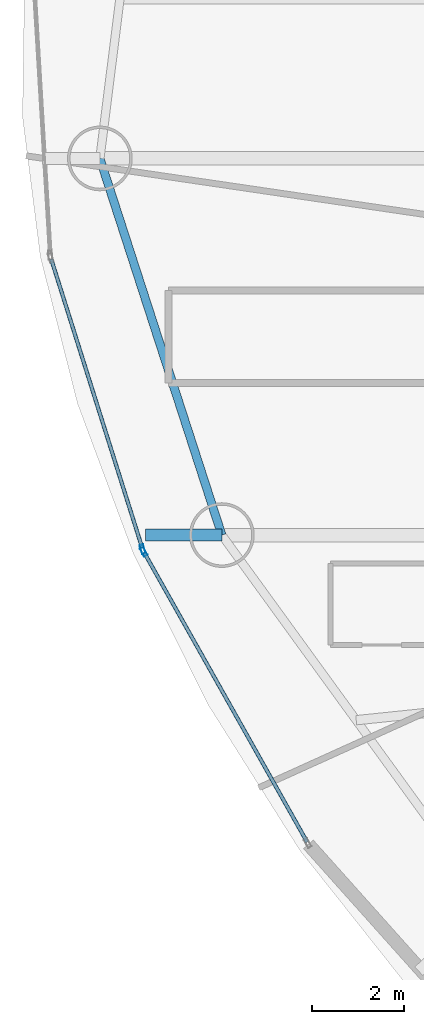
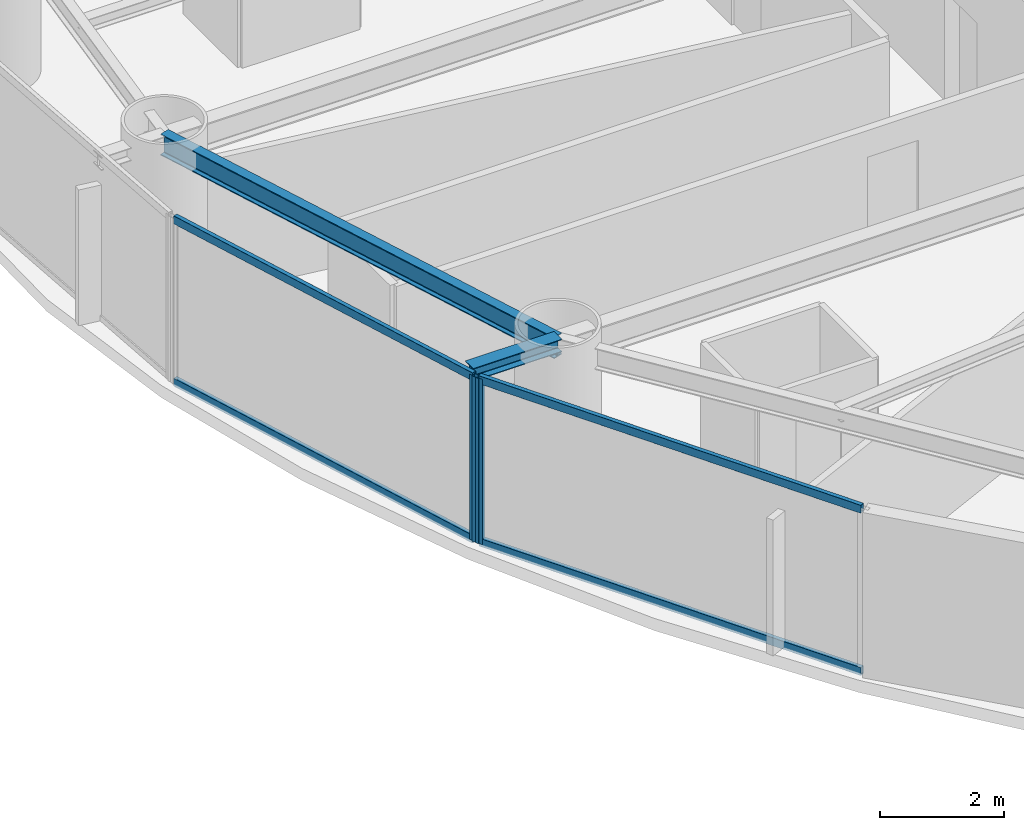
# One storey, part 4 of 22: 6 members, 2 beams, 2 elements without a shape of their own.
"""IFC4 building model written with IfcOpenShell, lengths in metres."""

from ifc_helpers import new_model, si_unit, direction, frame, origin, origin_2d, place, context, subcontext, project, spatial, hollow_rectangle, i_section, extrude, material, layer, layer_set, material_profile, profile_set, type_object, element, aggregate, save


model = new_model("IFC4")

# Units and contexts
model_context = context("Model", 3, precision=1e-05, world=origin(), true_north=direction((0.0, 1.0)))
body_context = subcontext(model_context, "Body", "Model", "MODEL_VIEW")
ifc_project = project(units=[si_unit("LENGTHUNIT", "METRE"), si_unit("AREAUNIT", "SQUARE_METRE"), si_unit("VOLUMEUNIT", "CUBIC_METRE"), si_unit("PLANEANGLEUNIT", "RADIAN"), si_unit("MASSUNIT", "GRAM", prefix="KILO")], contexts=[model_context])

# Site, building, storey
site_placement = place(None, origin())
site = spatial("IfcSite", under=ifc_project, at=site_placement, CompositionType="ELEMENT")
building_placement = place(site_placement, origin())
building = spatial("IfcBuilding", under=site, at=building_placement, Name="Bramvorn Convention Spire", CompositionType="ELEMENT")
storey_placement = place(building_placement, frame((0.0, 0.0, 137.800048828125)))
storey = spatial("IfcBuildingStorey", under=building, at=storey_placement, Name="L34", CompositionType="ELEMENT", Elevation=137.800048828125)

# Beams
ifc_material_1 = material(Name="Steel CSA G40.21 Grade 350 (350W)", Category="steel")
ifc_material_profile_1 = material_profile(ifc_material_1, i_section(OverallWidth=0.25390625, OverallDepth=0.2529296875, WebThickness=0.008544921875, FlangeThickness=0.01416015625, FilletRadius=0.011962890625, at=origin_2d()))
ifc_profile_set_1 = profile_set([ifc_material_profile_1], Name="Steel CSA G40.21 Grade 350 (350W) - W250X73")
beam_type_1 = type_object("IfcBeamType", Name="BM-W250X73", PredefinedType="BEAM", material=ifc_profile_set_1)
beam_1_placement = place(storey_placement, frame((15.654296875, 21.706787109375, 3.133544921875), z_axis=(-1.0, 0.0, 0.0), x_axis=(0.0, -1.0, 0.0)))
element("IfcBeam", 1, at=beam_1_placement, inside=storey, type_object=beam_type_1, Name="L34 slab-edge cantilever tip beam MC11", PredefinedType="BEAM", context=body_context, shape_type="SweptSolid", body=[
    extrude(i_section(OverallWidth=0.25390625, OverallDepth=0.2529296875, WebThickness=0.008544921875, FlangeThickness=0.01416015625, FilletRadius=0.011962890625, at=origin_2d()), origin(), (0.0, 0.0, 1.0), 1.654296875),
])
ifc_material_profile_2 = material_profile(ifc_material_1, i_section(OverallWidth=0.180908203125, OverallDepth=0.4169921875, WebThickness=0.010986328125, FlangeThickness=0.018310546875, FilletRadius=0.01611328125, at=origin_2d()))
ifc_profile_set_2 = profile_set([ifc_material_profile_2], Name="Steel CSA G40.21 Grade 350 (350W) - W410X85")
beam_type_2 = type_object("IfcBeamType", Name="BM-W410X85", PredefinedType="JOIST", material=ifc_profile_set_2)
beam_2_placement = place(storey_placement, frame((13.016357421875, 29.851806640625, 3.051513671875), z_axis=(0.308114853612, -0.951349166701, 0.0), x_axis=(0.951349166701, 0.308114853612, 0.0)))
element("IfcBeam", 2, at=beam_2_placement, inside=storey, type_object=beam_type_2, Name="L34 mega-column ring beam 10", PredefinedType="JOIST", context=body_context, shape_type="SweptSolid", body=[
    extrude(i_section(OverallWidth=0.180908203125, OverallDepth=0.4169921875, WebThickness=0.010986328125, FlangeThickness=0.018310546875, FilletRadius=0.01611328125, at=origin_2d()), origin(), (0.0, 0.0, 1.0), 8.5615234375),
])

# Curtain wall, member
ifc_material_2 = material(Name="Anodised Bronze Unitised Curtain Wall", Category="aluminium")
ifc_layer = layer(ifc_material_2, 0.179931640625)
ifc_layer_set = layer_set([ifc_layer], Name="Anodised Bronze Unitised Curtain Wall - CW-HTL-FRIT")
curtain_wall_type = type_object("IfcCurtainWallType", Name="CW-HTL-FRIT", PredefinedType="USERDEFINED", material=ifc_layer_set)
curtain_wall_1_placement = place(storey_placement, origin())
curtain_wall_1 = element("IfcCurtainWall", 3, at=curtain_wall_1_placement, inside=storey, type_object=curtain_wall_type, Name="L34 fritted glass curtain wall 15", ObjectType="UNITISED CURTAIN WALL", PredefinedType="USERDEFINED")
ifc_material_3 = material(Name="Anodised Bronze Aluminium 6063-T6", Category="aluminium")
ifc_material_profile_3 = material_profile(ifc_material_3, hollow_rectangle(XDim=0.080078125, YDim=0.199951171875, WallThickness=0.00390625, InnerFilletRadius=0.0009765625, OuterFilletRadius=0.00390625, at=origin_2d()))
ifc_profile_set_3 = profile_set([ifc_material_profile_3], Name="Anodised Bronze Aluminium 6063-T6 - CWM80X200")
member_type_1 = type_object("IfcMemberType", Name="CW-MUL-180", PredefinedType="MULLION", material=ifc_profile_set_3)
member_1_placement = place(storey_placement, frame((13.9404296875, 21.402099609375, 0.0), z_axis=(0.0, 0.0, 1.0), x_axis=(-0.953779510909, -0.300507312007, 0.0)))
member_1 = element("IfcMember", 4, at=member_1_placement, type_object=member_type_1, Name="CW2 mullion 1", PredefinedType="MULLION", context=body_context, shape_type="SweptSolid", body=[
    extrude(hollow_rectangle(XDim=0.080078125, YDim=0.199951171875, WallThickness=0.00390625, InnerFilletRadius=0.0009765625, OuterFilletRadius=0.00390625, at=origin_2d()), origin(), (0.0, 0.0, 1.0), 3.260009765625),
])

curtain_wall_2_placement = place(storey_placement, origin())
curtain_wall_2 = element("IfcCurtainWall", 5, at=curtain_wall_2_placement, inside=storey, type_object=curtain_wall_type, Name="L34 fritted glass curtain wall 16", ObjectType="UNITISED CURTAIN WALL", PredefinedType="USERDEFINED")
member_2_placement = place(storey_placement, frame((13.964111328125, 21.34716796875, 0.0), z_axis=(0.0, 0.0, 1.0), x_axis=(-0.871437793754, -0.49050603627, 0.0)))
member_2 = element("IfcMember", 6, at=member_2_placement, type_object=member_type_1, Name="CW2 mullion 2", PredefinedType="MULLION", context=body_context, shape_type="SweptSolid", body=[
    extrude(hollow_rectangle(XDim=0.080078125, YDim=0.199951171875, WallThickness=0.00390625, InnerFilletRadius=0.0009765625, OuterFilletRadius=0.00390625, at=origin_2d()), origin(), (0.0, 0.0, 1.0), 3.260009765625),
])

# Member
ifc_material_profile_4 = material_profile(ifc_material_3, hollow_rectangle(XDim=0.080078125, YDim=0.159912109375, WallThickness=0.00390625, InnerFilletRadius=0.0009765625, OuterFilletRadius=0.00390625, at=origin_2d()))
ifc_profile_set_4 = profile_set([ifc_material_profile_4], Name="Anodised Bronze Aluminium 6063-T6 - CWT80X160")
member_type_2 = type_object("IfcMemberType", Name="CW-TRN-150", PredefinedType="USERDEFINED", material=ifc_profile_set_4)
member_3_placement = place(storey_placement, frame((13.931396484375, 21.4306640625, 0.030029296875), z_axis=(-0.300506468066, 0.953779776809, 0.0), x_axis=(-0.953779776809, -0.300506468066, 0.0)))
member_3 = element("IfcMember", 7, at=member_3_placement, type_object=member_type_2, Name="CW2 transom 1.1", ObjectType="TRANSOM", PredefinedType="USERDEFINED", context=body_context, shape_type="SweptSolid", body=[
    extrude(hollow_rectangle(XDim=0.080078125, YDim=0.159912109375, WallThickness=0.00390625, InnerFilletRadius=0.0009765625, OuterFilletRadius=0.00390625, at=origin_2d()), origin(), (0.0, 0.0, 1.0), 6.544921875),
])

member_4_placement = place(storey_placement, frame((13.931396484375, 21.4306640625, 3.22998046875), z_axis=(-0.300506468066, 0.953779776809, 0.0), x_axis=(-0.953779776809, -0.300506468066, 0.0)))
member_4 = element("IfcMember", 8, at=member_4_placement, type_object=member_type_2, Name="CW2 transom 1.2", ObjectType="TRANSOM", PredefinedType="USERDEFINED", context=body_context, shape_type="SweptSolid", body=[
    extrude(hollow_rectangle(XDim=0.080078125, YDim=0.159912109375, WallThickness=0.00390625, InnerFilletRadius=0.0009765625, OuterFilletRadius=0.00390625, at=origin_2d()), origin(), (0.0, 0.0, 1.0), 6.544921875),
])

aggregate(curtain_wall_1, [member_1, member_3, member_4])

member_5_placement = place(storey_placement, frame((17.49658203125, 15.0712890625, 0.030029296875), z_axis=(-0.490508502872, 0.871436405373, 0.0), x_axis=(-0.871436405373, -0.490508502872, 0.0)))
member_5 = element("IfcMember", 9, at=member_5_placement, type_object=member_type_2, Name="CW2 transom 1.1", ObjectType="TRANSOM", PredefinedType="USERDEFINED", context=body_context, shape_type="SweptSolid", body=[
    extrude(hollow_rectangle(XDim=0.080078125, YDim=0.159912109375, WallThickness=0.00390625, InnerFilletRadius=0.0009765625, OuterFilletRadius=0.00390625, at=origin_2d()), origin(), (0.0, 0.0, 1.0), 7.171875),
])

member_6_placement = place(storey_placement, frame((17.49658203125, 15.0712890625, 3.22998046875), z_axis=(-0.490508502872, 0.871436405373, 0.0), x_axis=(-0.871436405373, -0.490508502872, 0.0)))
member_6 = element("IfcMember", 10, at=member_6_placement, type_object=member_type_2, Name="CW2 transom 1.2", ObjectType="TRANSOM", PredefinedType="USERDEFINED", context=body_context, shape_type="SweptSolid", body=[
    extrude(hollow_rectangle(XDim=0.080078125, YDim=0.159912109375, WallThickness=0.00390625, InnerFilletRadius=0.0009765625, OuterFilletRadius=0.00390625, at=origin_2d()), origin(), (0.0, 0.0, 1.0), 7.171875),
])

aggregate(curtain_wall_2, [member_2, member_5, member_6])

save(model, "model.ifc")
